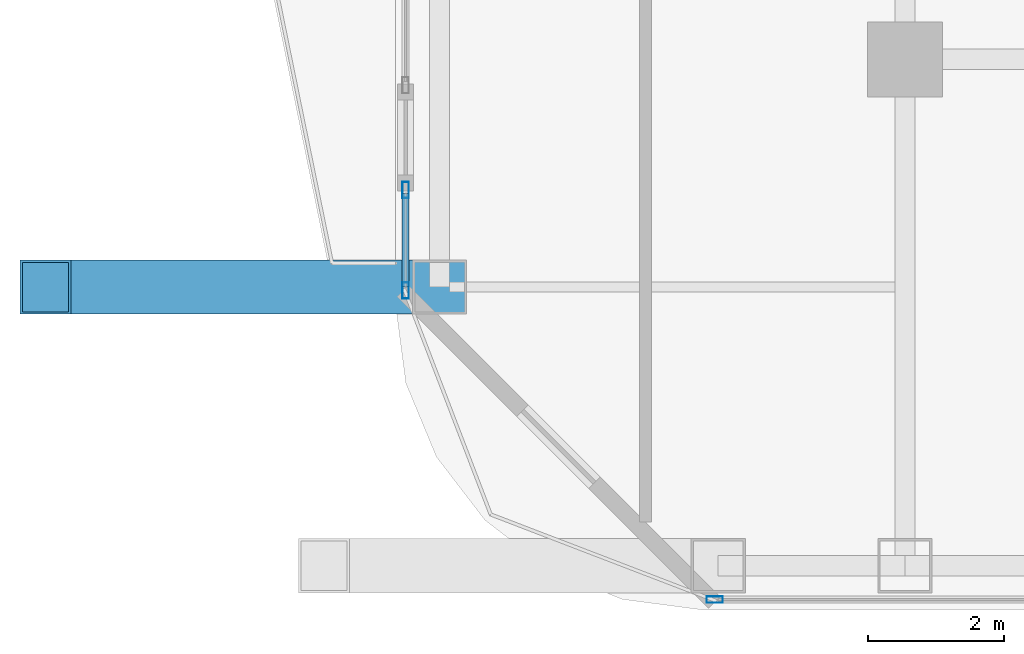
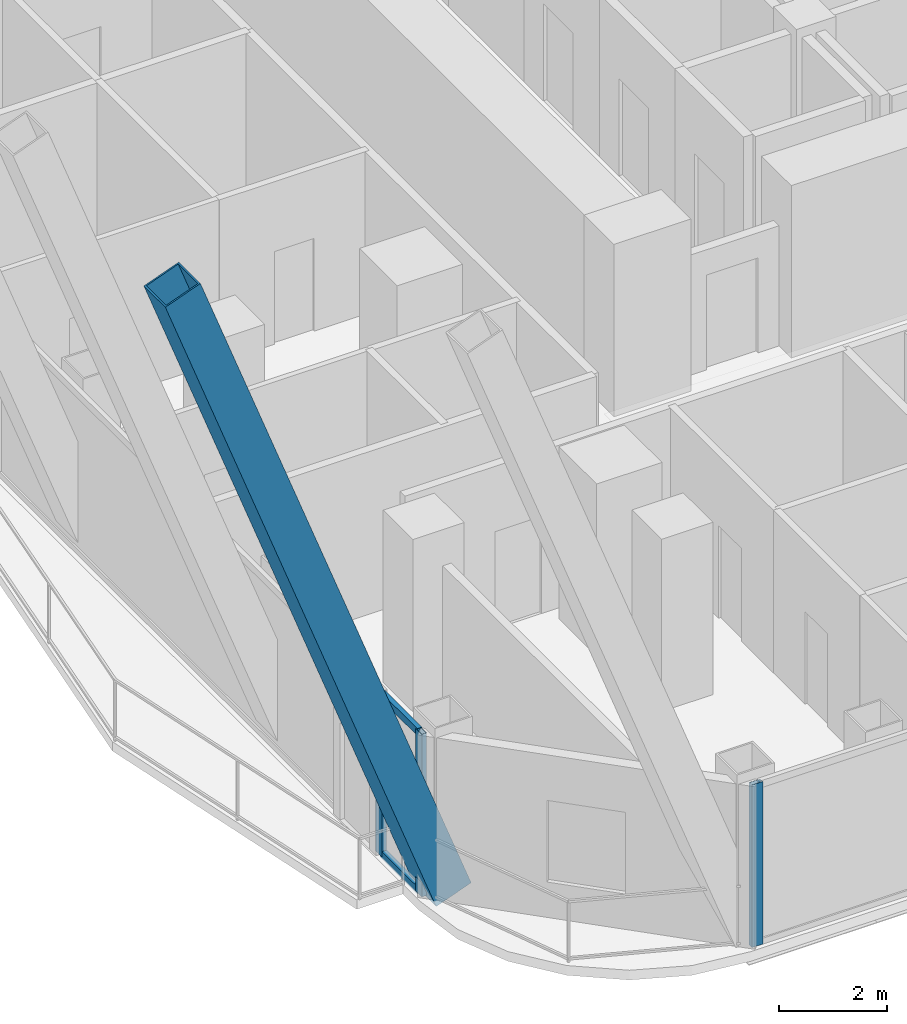
# One storey, part 2 of 33: 6 members, 2 elements without a shape of their own.
"""IFC4 building model written with IfcOpenShell, lengths in metres."""

from ifc_helpers import new_model, si_unit, direction, frame, origin, origin_2d, place, context, subcontext, project, spatial, hollow_rectangle, extrude, material, layer, layer_set, material_profile, profile_set, type_object, element, aggregate, save


model = new_model("IFC4")

# Units and contexts
model_context = context("Model", 3, precision=1e-05, world=origin(), true_north=direction((0.0, 1.0)))
body_context = subcontext(model_context, "Body", "Model", "MODEL_VIEW")
ifc_project = project(units=[si_unit("LENGTHUNIT", "METRE"), si_unit("AREAUNIT", "SQUARE_METRE"), si_unit("VOLUMEUNIT", "CUBIC_METRE"), si_unit("PLANEANGLEUNIT", "RADIAN"), si_unit("MASSUNIT", "GRAM", prefix="KILO")], contexts=[model_context])

# Site, building, storey
site_placement = place(None, origin())
site = spatial("IfcSite", under=ifc_project, at=site_placement, CompositionType="ELEMENT")
building_placement = place(site_placement, origin())
building = spatial("IfcBuilding", under=site, at=building_placement, Name="Khorvyn Point Tower", CompositionType="ELEMENT")
storey_placement = place(building_placement, frame((0.0, 0.0, 38.39990234375)))
storey = spatial("IfcBuildingStorey", under=building, at=storey_placement, Name="L10", CompositionType="ELEMENT", Elevation=38.39990234375)

# Curtain wall, member
ifc_material_1 = material(Name="Anodised aluminium 6063-T6 and laminated Low-E glass", Category="aluminium")
ifc_layer = layer(ifc_material_1, 0.18994140625)
ifc_layer_set = layer_set([ifc_layer], Name="Stick-Built Finned Residential Curtain Wall CW-SYS-02")
curtain_wall_type = type_object("IfcCurtainWallType", Name="Stick-Built Finned Residential Curtain Wall CW-SYS-02", PredefinedType="NOTDEFINED", material=ifc_layer_set)
curtain_wall_1_placement = place(storey_placement, origin())
curtain_wall_1 = element("IfcCurtainWall", 1, at=curtain_wall_1_placement, inside=storey, type_object=curtain_wall_type, Name="Curtain Wall", PredefinedType="NOTDEFINED")
ifc_material_2 = material(Name="Anodised aluminium 6063-T6", Category="aluminium")
ifc_material_profile_1 = material_profile(ifc_material_2, hollow_rectangle(XDim=0.10009765625, YDim=0.239990234375, WallThickness=0.0048828125, at=origin_2d()))
ifc_profile_set_1 = profile_set([ifc_material_profile_1], Name="Anodised aluminium 6063-T6 ALU-MUL-100x240")
member_type_1 = type_object("IfcMemberType", Name="Anodised Aluminium 6063-T6 Mullion ALU-MUL-100x240", PredefinedType="MULLION", material=ifc_profile_set_1)
member_1_placement = place(storey_placement, frame((-17.60009765625, -25.050048828125, 0.0), z_axis=(0.0, 0.0, 1.0), x_axis=(0.0, -1.0, 0.0)))
member_1 = element("IfcMember", 2, at=member_1_placement, type_object=member_type_1, Name="Transom", PredefinedType="MULLION", context=body_context, shape_type="SweptSolid", body=[
    extrude(hollow_rectangle(XDim=0.10009765625, YDim=0.239990234375, WallThickness=0.0048828125, at=origin_2d()), origin(), (0.0, 0.0, 1.0), 3.68017578125),
])
aggregate(curtain_wall_1, [member_1])

# Curtain wall, members
curtain_wall_2_placement = place(storey_placement, origin())
curtain_wall_2 = element("IfcCurtainWall", 3, at=curtain_wall_2_placement, inside=storey, type_object=curtain_wall_type, Name="Curtain Wall", PredefinedType="NOTDEFINED")
member_2_placement = place(storey_placement, frame((-22.14990234375, -20.5, 0.0), z_axis=(0.0, 0.0, 1.0), x_axis=(-1.0, 0.0, 0.0)))
member_2 = element("IfcMember", 4, at=member_2_placement, type_object=member_type_1, Name="Transom", PredefinedType="MULLION", context=body_context, shape_type="SweptSolid", body=[
    extrude(hollow_rectangle(XDim=0.10009765625, YDim=0.239990234375, WallThickness=0.0048828125, at=origin_2d()), origin(), (0.0, 0.0, 1.0), 3.68017578125),
])
member_3_placement = place(storey_placement, frame((-22.14990234375, -19.02001953125, 0.0), z_axis=(0.0, 0.0, 1.0), x_axis=(-1.0, 0.0, 0.0)))
member_3 = element("IfcMember", 5, at=member_3_placement, type_object=member_type_1, Name="Transom", PredefinedType="MULLION", context=body_context, shape_type="SweptSolid", body=[
    extrude(hollow_rectangle(XDim=0.10009765625, YDim=0.239990234375, WallThickness=0.0048828125, at=origin_2d()), origin(), (0.0, 0.0, 1.0), 3.68017578125),
])
ifc_material_profile_2 = material_profile(ifc_material_2, hollow_rectangle(XDim=0.10009765625, YDim=0.159912109375, WallThickness=0.00439453125, at=origin_2d()))
ifc_profile_set_2 = profile_set([ifc_material_profile_2], Name="Anodised aluminium 6063-T6 ALU-TRN-100x160")
member_type_2 = type_object("IfcMemberType", Name="Anodised Aluminium 6063-T6 Transom ALU-TRN-100x160", PredefinedType="USERDEFINED", material=ifc_profile_set_2)
member_4_placement = place(storey_placement, frame((-22.14990234375, -20.449951171875, 0.050048828125), z_axis=(0.0, 1.0, 0.0), x_axis=(-1.0, 0.0, 0.0)))
member_4 = element("IfcMember", 6, at=member_4_placement, type_object=member_type_2, Name="Transom", ObjectType="TRANSOM", PredefinedType="USERDEFINED", context=body_context, shape_type="SweptSolid", body=[
    extrude(hollow_rectangle(XDim=0.10009765625, YDim=0.159912109375, WallThickness=0.00439453125, at=origin_2d()), origin(), (0.0, 0.0, 1.0), 1.3798828125),
])
member_5_placement = place(storey_placement, frame((-22.14990234375, -20.449951171875, 3.630126953125), z_axis=(0.0, 1.0, 0.0), x_axis=(-1.0, 0.0, 0.0)))
member_5 = element("IfcMember", 7, at=member_5_placement, type_object=member_type_2, Name="Transom", ObjectType="TRANSOM", PredefinedType="USERDEFINED", context=body_context, shape_type="SweptSolid", body=[
    extrude(hollow_rectangle(XDim=0.10009765625, YDim=0.159912109375, WallThickness=0.00439453125, at=origin_2d()), origin(), (0.0, 0.0, 1.0), 1.3798828125),
])
aggregate(curtain_wall_2, [member_2, member_3, member_4, member_5])

# Member
ifc_material_3 = material(Name="Steel S450", Category="steel")
ifc_material_profile_3 = material_profile(ifc_material_3, hollow_rectangle(XDim=0.800048828125, YDim=0.800048828125, WallThickness=0.035888671875, at=origin_2d()))
ifc_profile_set_3 = profile_set([ifc_material_profile_3], Name="Steel S450 BOX800x800x36")
member_type_3 = type_object("IfcMemberType", Name="Steel S450 Exoskeleton Structural Post BOX800x800x36", PredefinedType="POST", material=ifc_profile_set_3)
member_6_placement = place(storey_placement, frame((-21.64990234375, -20.449951171875, 0.0), z_axis=(-0.348488886408, 0.0, 0.937312912559), x_axis=(0.0, -1.0, 0.0)))
element("IfcMember", 8, at=member_6_placement, inside=storey, type_object=member_type_3, Name="L10 to L14 Exoskeleton Transfer Post 05", PredefinedType="POST", context=body_context, shape_type="SweptSolid", body=[
    extrude(hollow_rectangle(XDim=0.800048828125, YDim=0.800048828125, WallThickness=0.035888671875, at=origin_2d()), origin(), (0.0, 0.0, 1.0), 16.643310546875),
])

save(model, "model.ifc")
